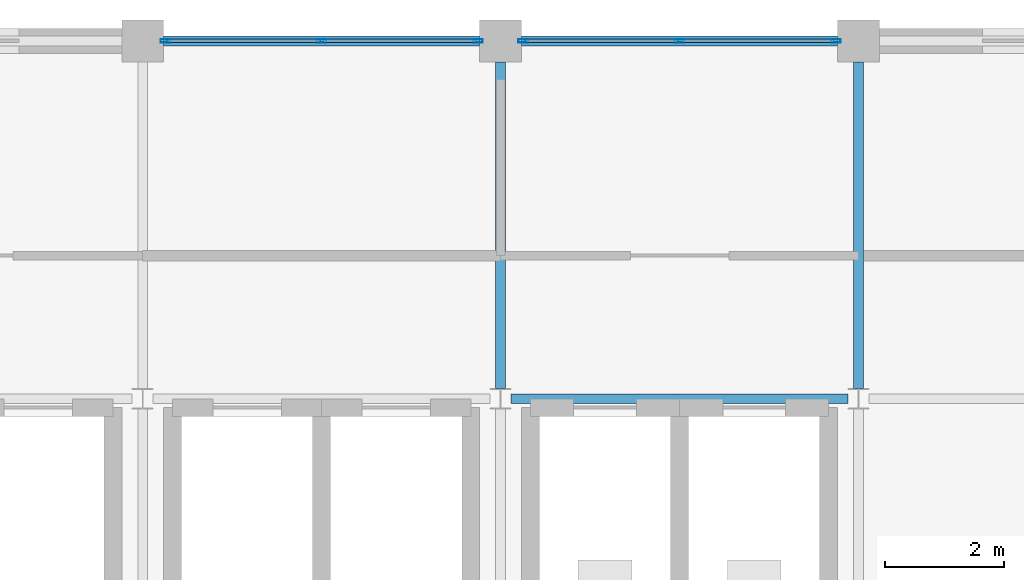
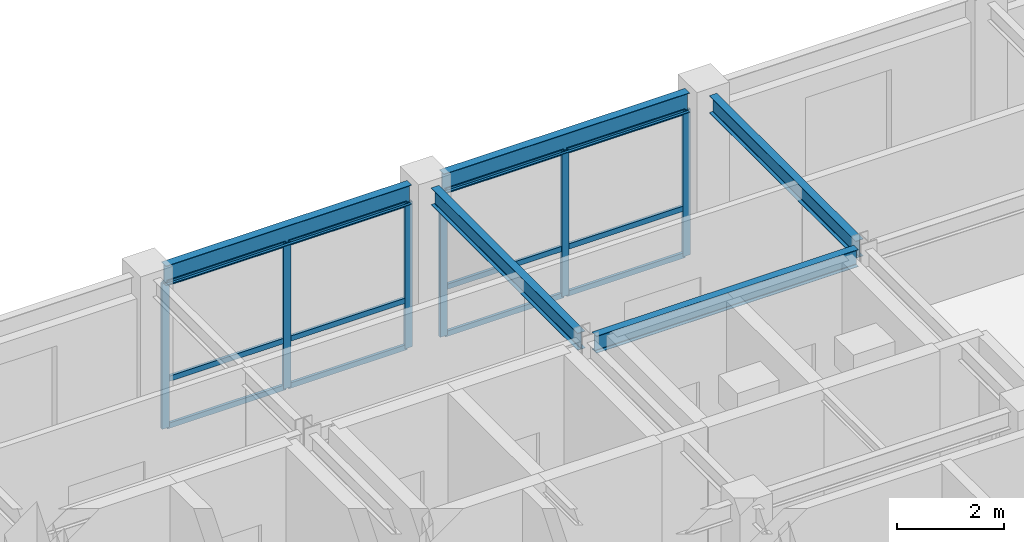
# One storey, part 6 of 12: 18 members, 5 beams, 2 elements without a shape of their own.
"""IFC4 building model written with IfcOpenShell, lengths in metres."""

from ifc_helpers import new_model, si_unit, direction, frame, origin, origin_2d, place, context, subcontext, project, spatial, hollow_rectangle, i_section, extrude, material, layer, layer_set, material_profile, profile_set, type_object, element, aggregate, save


model = new_model("IFC4")

# Units and contexts
model_context = context("Model", 3, precision=1e-05, world=origin(), true_north=direction((0.0, 1.0)))
body_context = subcontext(model_context, "Body", "Model", "MODEL_VIEW")
ifc_project = project(units=[si_unit("LENGTHUNIT", "METRE"), si_unit("AREAUNIT", "SQUARE_METRE"), si_unit("VOLUMEUNIT", "CUBIC_METRE"), si_unit("PLANEANGLEUNIT", "RADIAN"), si_unit("MASSUNIT", "GRAM", prefix="KILO")], contexts=[model_context])

# Site, building, storey
site_placement = place(None, origin())
site = spatial("IfcSite", under=ifc_project, at=site_placement, CompositionType="ELEMENT")
building_placement = place(site_placement, origin())
building = spatial("IfcBuilding", under=site, at=building_placement, Name="Zlatovratsky Civic Hall", CompositionType="ELEMENT")
storey_placement = place(building_placement, frame((0.0, 0.0, 40.5)))
storey = spatial("IfcBuildingStorey", under=building, at=storey_placement, Name="L10", CompositionType="ELEMENT", Elevation=40.5)

# Beams
ifc_material_1 = material(Name="Steel S355", Category="steel")
ifc_material_profile_1 = material_profile(ifc_material_1, i_section(OverallWidth=0.169921875, OverallDepth=0.446044921875, WebThickness=0.007568359375, FlangeThickness=0.010986328125, FilletRadius=0.01611328125, at=origin_2d()), Name="45B1")
ifc_profile_set_1 = profile_set([ifc_material_profile_1], Name="Steel S355")
beam_type_1 = type_object("IfcBeamType", Name="Beam_Spandrel_45B1", PredefinedType="SPANDREL", material=ifc_profile_set_1)
for number, where, z_axis, x_axis, name in (
    (1, (78.35009765625, 102.0, 3.51708984375), (1.0, 0.0, 0.0), (0.0, 1.0, 0.0), "BM-4651"),
    (2, (84.35009765625, 102.0, 3.51708984375), (1.0, 0.0, 0.0), (0.0, 1.0, 0.0), "BM-4652"),
):
    element("IfcBeam", number, at=place(storey_placement, frame(where, z_axis=z_axis, x_axis=x_axis)), inside=storey, type_object=beam_type_1, Name=name, PredefinedType="SPANDREL", context=body_context, shape_type="SweptSolid", body=[
        extrude(i_section(OverallWidth=0.169921875, OverallDepth=0.446044921875, WebThickness=0.007568359375, FlangeThickness=0.010986328125, FilletRadius=0.01611328125, at=origin_2d()), origin(), (0.0, 0.0, 1.0), 5.2998046875),
    ])
ifc_material_profile_2 = material_profile(ifc_material_1, i_section(OverallWidth=0.1650390625, OverallDepth=0.39208984375, WebThickness=0.006591796875, FlangeThickness=0.009521484375, FilletRadius=0.014892578125, at=origin_2d()), Name="40B1")
ifc_profile_set_2 = profile_set([ifc_material_profile_2], Name="Steel S355")
beam_type_2 = type_object("IfcBeamType", Name="Beam_Tie_40B1", PredefinedType="BEAM", material=ifc_profile_set_2)
beam_placement = place(storey_placement, frame((84.175048828125, 96.0, 3.5439453125), z_axis=(1.0, 0.0, 0.0), x_axis=(0.0, 1.0, 0.0)))
element("IfcBeam", 3, at=beam_placement, inside=storey, type_object=beam_type_2, Name="BM-4644", PredefinedType="BEAM", context=body_context, shape_type="SweptSolid", body=[
    extrude(i_section(OverallWidth=0.1650390625, OverallDepth=0.39208984375, WebThickness=0.006591796875, FlangeThickness=0.009521484375, FilletRadius=0.014892578125, at=origin_2d()), origin(), (0.0, 0.0, 1.0), 5.64990234375),
])
for number, where, z_axis, x_axis, name in (
    (4, (84.0, 96.175048828125, 3.5439453125), (0.0, 1.0, 0.0), (-1.0, 0.0, 0.0), "BM-4680"),
    (5, (90.0, 96.175048828125, 3.5439453125), (0.0, 1.0, 0.0), (-1.0, 0.0, 0.0), "BM-4685"),
):
    element("IfcBeam", number, at=place(storey_placement, frame(where, z_axis=z_axis, x_axis=x_axis)), inside=storey, type_object=beam_type_2, Name=name, PredefinedType="BEAM", context=body_context, shape_type="SweptSolid", body=[
        extrude(i_section(OverallWidth=0.1650390625, OverallDepth=0.39208984375, WebThickness=0.006591796875, FlangeThickness=0.009521484375, FilletRadius=0.014892578125, at=origin_2d()), origin(), (0.0, 0.0, 1.0), 5.474853515625),
    ])

# Curtain wall, members
ifc_material_2 = material(Name="Anodised bronze aluminium", Category="aluminium")
ifc_layer = layer(ifc_material_2, 0.159912109375)
ifc_layer_set = layer_set([ifc_layer], Name="Anodised bronze aluminium")
curtain_wall_type = type_object("IfcCurtainWallType", Name="CurtainWall_Bronze_5300x3320_21", PredefinedType="NOTDEFINED", material=ifc_layer_set)
curtain_wall_1_placement = place(storey_placement, origin())
curtain_wall_1 = element("IfcCurtainWall", 6, at=curtain_wall_1_placement, inside=storey, type_object=curtain_wall_type, Name="CW-151", PredefinedType="NOTDEFINED")
ifc_material_profile_3 = material_profile(ifc_material_2, hollow_rectangle(XDim=0.06005859375, YDim=0.159912109375, WallThickness=0.00390625, at=origin_2d()), Name="ALU 60x160x4")
ifc_profile_set_3 = profile_set([ifc_material_profile_3], Name="Anodised bronze aluminium")
member_type_1 = type_object("IfcMemberType", Name="CW_Mullion_60x160", PredefinedType="MULLION", material=ifc_profile_set_3)
member_1_placement = place(storey_placement, frame((78.3798828125, 102.0, 0.0), z_axis=(0.0, 0.0, 1.0), x_axis=(0.0, 1.0, 0.0)))
member_1 = element("IfcMember", 7, at=member_1_placement, type_object=member_type_1, Name="CW-21 mullion 1", PredefinedType="MULLION", context=body_context, shape_type="SweptSolid", body=[
    extrude(hollow_rectangle(XDim=0.06005859375, YDim=0.159912109375, WallThickness=0.00390625, at=origin_2d()), origin(), (0.0, 0.0, 1.0), 3.320068359375),
])
member_2_placement = place(storey_placement, frame((81.0, 102.0, 0.0), z_axis=(0.0, 0.0, 1.0), x_axis=(0.0, 1.0, 0.0)))
member_2 = element("IfcMember", 8, at=member_2_placement, type_object=member_type_1, Name="CW-21 mullion 2", PredefinedType="MULLION", context=body_context, shape_type="SweptSolid", body=[
    extrude(hollow_rectangle(XDim=0.06005859375, YDim=0.159912109375, WallThickness=0.00390625, at=origin_2d()), origin(), (0.0, 0.0, 1.0), 3.320068359375),
])
member_3_placement = place(storey_placement, frame((83.6201171875, 102.0, 0.0), z_axis=(0.0, 0.0, 1.0), x_axis=(0.0, 1.0, 0.0)))
member_3 = element("IfcMember", 9, at=member_3_placement, type_object=member_type_1, Name="CW-21 mullion 3", PredefinedType="MULLION", context=body_context, shape_type="SweptSolid", body=[
    extrude(hollow_rectangle(XDim=0.06005859375, YDim=0.159912109375, WallThickness=0.00390625, at=origin_2d()), origin(), (0.0, 0.0, 1.0), 3.320068359375),
])

curtain_wall_2_placement = place(storey_placement, origin())
curtain_wall_2 = element("IfcCurtainWall", 10, at=curtain_wall_2_placement, inside=storey, type_object=curtain_wall_type, Name="CW-152", PredefinedType="NOTDEFINED")
member_4_placement = place(storey_placement, frame((84.3798828125, 102.0, 0.0), z_axis=(0.0, 0.0, 1.0), x_axis=(0.0, 1.0, 0.0)))
member_4 = element("IfcMember", 11, at=member_4_placement, type_object=member_type_1, Name="CW-21 mullion 1", PredefinedType="MULLION", context=body_context, shape_type="SweptSolid", body=[
    extrude(hollow_rectangle(XDim=0.06005859375, YDim=0.159912109375, WallThickness=0.00390625, at=origin_2d()), origin(), (0.0, 0.0, 1.0), 3.320068359375),
])
member_5_placement = place(storey_placement, frame((87.0, 102.0, 0.0), z_axis=(0.0, 0.0, 1.0), x_axis=(0.0, 1.0, 0.0)))
member_5 = element("IfcMember", 12, at=member_5_placement, type_object=member_type_1, Name="CW-21 mullion 2", PredefinedType="MULLION", context=body_context, shape_type="SweptSolid", body=[
    extrude(hollow_rectangle(XDim=0.06005859375, YDim=0.159912109375, WallThickness=0.00390625, at=origin_2d()), origin(), (0.0, 0.0, 1.0), 3.320068359375),
])
member_6_placement = place(storey_placement, frame((89.6201171875, 102.0, 0.0), z_axis=(0.0, 0.0, 1.0), x_axis=(0.0, 1.0, 0.0)))
member_6 = element("IfcMember", 13, at=member_6_placement, type_object=member_type_1, Name="CW-21 mullion 3", PredefinedType="MULLION", context=body_context, shape_type="SweptSolid", body=[
    extrude(hollow_rectangle(XDim=0.06005859375, YDim=0.159912109375, WallThickness=0.00390625, at=origin_2d()), origin(), (0.0, 0.0, 1.0), 3.320068359375),
])

# Member
ifc_material_profile_4 = material_profile(ifc_material_2, hollow_rectangle(XDim=0.06005859375, YDim=0.1201171875, WallThickness=0.00390625, at=origin_2d()), Name="ALU 60x120x4")
ifc_profile_set_4 = profile_set([ifc_material_profile_4], Name="Anodised bronze aluminium")
member_type_2 = type_object("IfcMemberType", Name="CW_Transom_60x120", PredefinedType="USERDEFINED", material=ifc_profile_set_4)
member_7_placement = place(storey_placement, frame((78.409912109375, 102.0, 0.030029296875), z_axis=(1.0, 0.0, 0.0), x_axis=(0.0, 1.0, 0.0)))
member_7 = element("IfcMember", 14, at=member_7_placement, type_object=member_type_2, Name="CW-21 transom 1.1", ObjectType="TRANSOM", PredefinedType="USERDEFINED", context=body_context, shape_type="SweptSolid", body=[
    extrude(hollow_rectangle(XDim=0.06005859375, YDim=0.1201171875, WallThickness=0.00390625, at=origin_2d()), origin(), (0.0, 0.0, 1.0), 2.56005859375),
])

member_8_placement = place(storey_placement, frame((78.409912109375, 102.0, 1.10009765625), z_axis=(1.0, 0.0, 0.0), x_axis=(0.0, 1.0, 0.0)))
member_8 = element("IfcMember", 15, at=member_8_placement, type_object=member_type_2, Name="CW-21 transom 1.2", ObjectType="TRANSOM", PredefinedType="USERDEFINED", context=body_context, shape_type="SweptSolid", body=[
    extrude(hollow_rectangle(XDim=0.06005859375, YDim=0.1201171875, WallThickness=0.00390625, at=origin_2d()), origin(), (0.0, 0.0, 1.0), 2.56005859375),
])

member_9_placement = place(storey_placement, frame((78.409912109375, 102.0, 3.2900390625), z_axis=(1.0, 0.0, 0.0), x_axis=(0.0, 1.0, 0.0)))
member_9 = element("IfcMember", 16, at=member_9_placement, type_object=member_type_2, Name="CW-21 transom 1.3", ObjectType="TRANSOM", PredefinedType="USERDEFINED", context=body_context, shape_type="SweptSolid", body=[
    extrude(hollow_rectangle(XDim=0.06005859375, YDim=0.1201171875, WallThickness=0.00390625, at=origin_2d()), origin(), (0.0, 0.0, 1.0), 2.56005859375),
])

member_10_placement = place(storey_placement, frame((81.030029296875, 102.0, 0.030029296875), z_axis=(1.0, 0.0, 0.0), x_axis=(0.0, 1.0, 0.0)))
member_10 = element("IfcMember", 17, at=member_10_placement, type_object=member_type_2, Name="CW-21 transom 2.1", ObjectType="TRANSOM", PredefinedType="USERDEFINED", context=body_context, shape_type="SweptSolid", body=[
    extrude(hollow_rectangle(XDim=0.06005859375, YDim=0.1201171875, WallThickness=0.00390625, at=origin_2d()), origin(), (0.0, 0.0, 1.0), 2.56005859375),
])

member_11_placement = place(storey_placement, frame((81.030029296875, 102.0, 1.10009765625), z_axis=(1.0, 0.0, 0.0), x_axis=(0.0, 1.0, 0.0)))
member_11 = element("IfcMember", 18, at=member_11_placement, type_object=member_type_2, Name="CW-21 transom 2.2", ObjectType="TRANSOM", PredefinedType="USERDEFINED", context=body_context, shape_type="SweptSolid", body=[
    extrude(hollow_rectangle(XDim=0.06005859375, YDim=0.1201171875, WallThickness=0.00390625, at=origin_2d()), origin(), (0.0, 0.0, 1.0), 2.56005859375),
])

member_12_placement = place(storey_placement, frame((81.030029296875, 102.0, 3.2900390625), z_axis=(1.0, 0.0, 0.0), x_axis=(0.0, 1.0, 0.0)))
member_12 = element("IfcMember", 19, at=member_12_placement, type_object=member_type_2, Name="CW-21 transom 2.3", ObjectType="TRANSOM", PredefinedType="USERDEFINED", context=body_context, shape_type="SweptSolid", body=[
    extrude(hollow_rectangle(XDim=0.06005859375, YDim=0.1201171875, WallThickness=0.00390625, at=origin_2d()), origin(), (0.0, 0.0, 1.0), 2.56005859375),
])

aggregate(curtain_wall_1, [member_1, member_2, member_3, member_7, member_8, member_9, member_10, member_11, member_12])

member_13_placement = place(storey_placement, frame((84.409912109375, 102.0, 0.030029296875), z_axis=(1.0, 0.0, 0.0), x_axis=(0.0, 1.0, 0.0)))
member_13 = element("IfcMember", 20, at=member_13_placement, type_object=member_type_2, Name="CW-21 transom 1.1", ObjectType="TRANSOM", PredefinedType="USERDEFINED", context=body_context, shape_type="SweptSolid", body=[
    extrude(hollow_rectangle(XDim=0.06005859375, YDim=0.1201171875, WallThickness=0.00390625, at=origin_2d()), origin(), (0.0, 0.0, 1.0), 2.56005859375),
])

member_14_placement = place(storey_placement, frame((84.409912109375, 102.0, 1.10009765625), z_axis=(1.0, 0.0, 0.0), x_axis=(0.0, 1.0, 0.0)))
member_14 = element("IfcMember", 21, at=member_14_placement, type_object=member_type_2, Name="CW-21 transom 1.2", ObjectType="TRANSOM", PredefinedType="USERDEFINED", context=body_context, shape_type="SweptSolid", body=[
    extrude(hollow_rectangle(XDim=0.06005859375, YDim=0.1201171875, WallThickness=0.00390625, at=origin_2d()), origin(), (0.0, 0.0, 1.0), 2.56005859375),
])

member_15_placement = place(storey_placement, frame((84.409912109375, 102.0, 3.2900390625), z_axis=(1.0, 0.0, 0.0), x_axis=(0.0, 1.0, 0.0)))
member_15 = element("IfcMember", 22, at=member_15_placement, type_object=member_type_2, Name="CW-21 transom 1.3", ObjectType="TRANSOM", PredefinedType="USERDEFINED", context=body_context, shape_type="SweptSolid", body=[
    extrude(hollow_rectangle(XDim=0.06005859375, YDim=0.1201171875, WallThickness=0.00390625, at=origin_2d()), origin(), (0.0, 0.0, 1.0), 2.56005859375),
])

member_16_placement = place(storey_placement, frame((87.030029296875, 102.0, 0.030029296875), z_axis=(1.0, 0.0, 0.0), x_axis=(0.0, 1.0, 0.0)))
member_16 = element("IfcMember", 23, at=member_16_placement, type_object=member_type_2, Name="CW-21 transom 2.1", ObjectType="TRANSOM", PredefinedType="USERDEFINED", context=body_context, shape_type="SweptSolid", body=[
    extrude(hollow_rectangle(XDim=0.06005859375, YDim=0.1201171875, WallThickness=0.00390625, at=origin_2d()), origin(), (0.0, 0.0, 1.0), 2.56005859375),
])

member_17_placement = place(storey_placement, frame((87.030029296875, 102.0, 1.10009765625), z_axis=(1.0, 0.0, 0.0), x_axis=(0.0, 1.0, 0.0)))
member_17 = element("IfcMember", 24, at=member_17_placement, type_object=member_type_2, Name="CW-21 transom 2.2", ObjectType="TRANSOM", PredefinedType="USERDEFINED", context=body_context, shape_type="SweptSolid", body=[
    extrude(hollow_rectangle(XDim=0.06005859375, YDim=0.1201171875, WallThickness=0.00390625, at=origin_2d()), origin(), (0.0, 0.0, 1.0), 2.56005859375),
])

member_18_placement = place(storey_placement, frame((87.030029296875, 102.0, 3.2900390625), z_axis=(1.0, 0.0, 0.0), x_axis=(0.0, 1.0, 0.0)))
member_18 = element("IfcMember", 25, at=member_18_placement, type_object=member_type_2, Name="CW-21 transom 2.3", ObjectType="TRANSOM", PredefinedType="USERDEFINED", context=body_context, shape_type="SweptSolid", body=[
    extrude(hollow_rectangle(XDim=0.06005859375, YDim=0.1201171875, WallThickness=0.00390625, at=origin_2d()), origin(), (0.0, 0.0, 1.0), 2.56005859375),
])

aggregate(curtain_wall_2, [member_4, member_5, member_6, member_13, member_14, member_15, member_16, member_17, member_18])

save(model, "model.ifc")
